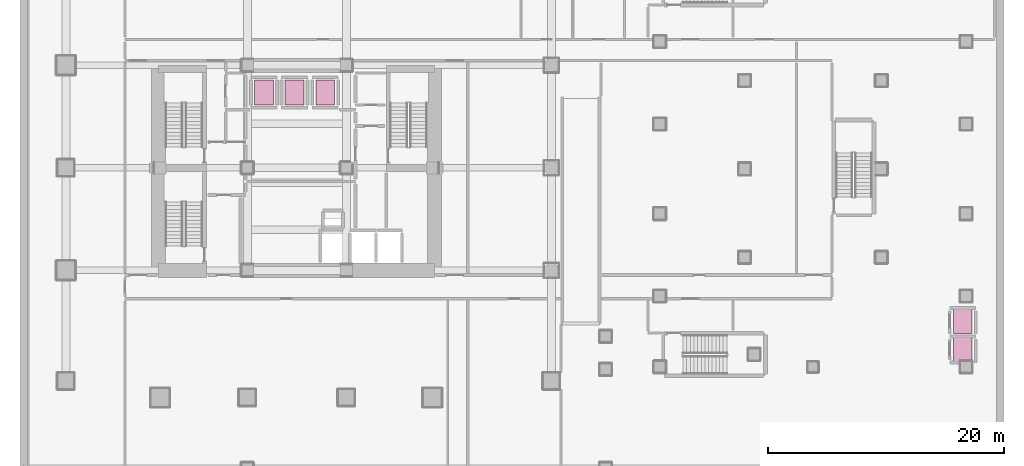
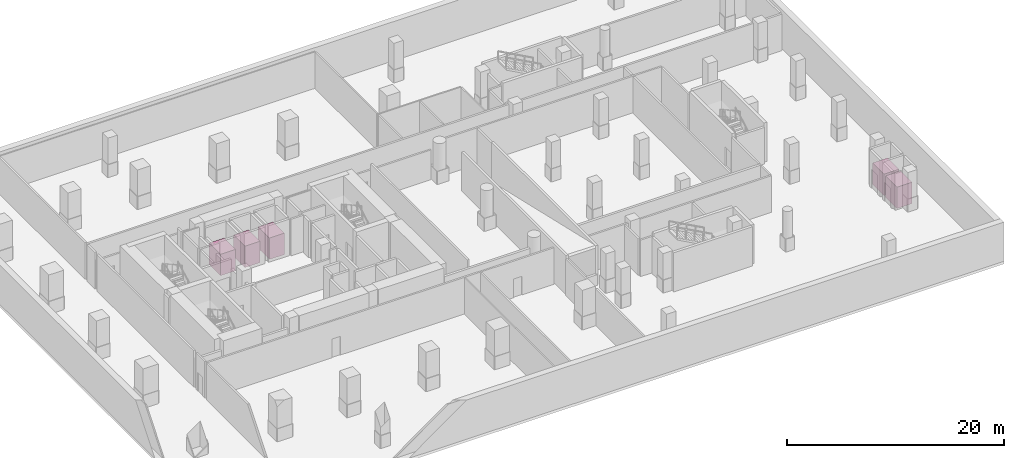
# One storey, part 15 of 15: 5 transport elements.
"""IFC4 building model written with IfcOpenShell, lengths in metres."""

from ifc_helpers import new_model, si_unit, direction, frame, origin, origin_2d, place, context, subcontext, project, spatial, rectangle, extrude, material, type_object, element, save


model = new_model("IFC4")

# Units and contexts
model_context = context("Model", 3, precision=1e-05, world=origin(), true_north=direction((0.0, 1.0)))
body_context = subcontext(model_context, "Body", "Model", "MODEL_VIEW")
ifc_project = project(units=[si_unit("LENGTHUNIT", "METRE"), si_unit("AREAUNIT", "SQUARE_METRE"), si_unit("VOLUMEUNIT", "CUBIC_METRE"), si_unit("PLANEANGLEUNIT", "RADIAN"), si_unit("MASSUNIT", "GRAM", prefix="KILO")], contexts=[model_context])

# Site, building, storey
site_placement = place(None, origin())
site = spatial("IfcSite", under=ifc_project, at=site_placement, CompositionType="ELEMENT")
building_placement = place(site_placement, origin())
building = spatial("IfcBuilding", under=site, at=building_placement, Name="Solanera Arch Residences", CompositionType="ELEMENT")
storey_placement = place(building_placement, frame((0.0, 0.0, -8.800048828125)))
storey = spatial("IfcBuildingStorey", under=building, at=storey_placement, Name="B02", CompositionType="ELEMENT", Elevation=-8.800048828125)

# Transport elements
ifc_material_1 = material(Name="Stainless Steel EN 1.4301 Lift Car", Category="steel")
transport_element_type_1 = type_object("IfcTransportElementType", Name="Elevator Car Low-Rise Passenger Bank 1600x2100", PredefinedType="ELEVATOR", material=ifc_material_1)
for number, where, z_axis, x_axis, name in (
    (1, (22.199951171875, 37.10009765625, 0.0), (0.0, 0.0, 1.0), (1.0, 0.0, 0.0), "Elevator Car PL-L1"),
    (2, (24.800048828125, 37.10009765625, 0.0), (0.0, 0.0, 1.0), (1.0, 0.0, 0.0), "Elevator Car PL-L2"),
    (3, (27.39990234375, 37.10009765625, 0.0), (0.0, 0.0, 1.0), (1.0, 0.0, 0.0), "Elevator Car PL-L3"),
):
    element("IfcTransportElement", number, at=place(storey_placement, frame(where, z_axis=z_axis, x_axis=x_axis)), inside=storey, type_object=transport_element_type_1, Name=name, PredefinedType="ELEVATOR", context=body_context, shape_type="SweptSolid", body=[
        extrude(rectangle(XDim=1.60009765625, YDim=2.10009765625, at=origin_2d()), origin(), (0.0, 0.0, 1.0), 2.39990234375),
    ])
ifc_material_2 = material(Name="Stainless Steel EN 1.4301 Lift Car", Category="steel")
transport_element_type_2 = type_object("IfcTransportElementType", Name="Elevator Car Sports Hall Accessible Lift 1 1600x2100", PredefinedType="ELEVATOR", material=ifc_material_2)
transport_element_1_placement = place(storey_placement, frame((81.5, 15.300048828125, 0.0), z_axis=(0.0, 0.0, 1.0), x_axis=(1.0, 0.0, 0.0)))
element("IfcTransportElement", 4, at=transport_element_1_placement, inside=storey, type_object=transport_element_type_2, Name="Elevator Car PL-SH1", PredefinedType="ELEVATOR", context=body_context, shape_type="SweptSolid", body=[
    extrude(rectangle(XDim=1.60009765625, YDim=2.10009765625, at=origin_2d()), origin(), (0.0, 0.0, 1.0), 2.39990234375),
])
ifc_material_3 = material(Name="Stainless Steel EN 1.4301 Lift Car", Category="steel")
transport_element_type_3 = type_object("IfcTransportElementType", Name="Elevator Car Sports Hall Accessible Lift 2 1600x2100", PredefinedType="ELEVATOR", material=ifc_material_3)
transport_element_2_placement = place(storey_placement, frame((81.5, 17.699951171875, 0.0), z_axis=(0.0, 0.0, 1.0), x_axis=(1.0, 0.0, 0.0)))
element("IfcTransportElement", 5, at=transport_element_2_placement, inside=storey, type_object=transport_element_type_3, Name="Elevator Car PL-SH2", PredefinedType="ELEVATOR", context=body_context, shape_type="SweptSolid", body=[
    extrude(rectangle(XDim=1.60009765625, YDim=2.10009765625, at=origin_2d()), origin(), (0.0, 0.0, 1.0), 2.39990234375),
])

save(model, "model.ifc")
